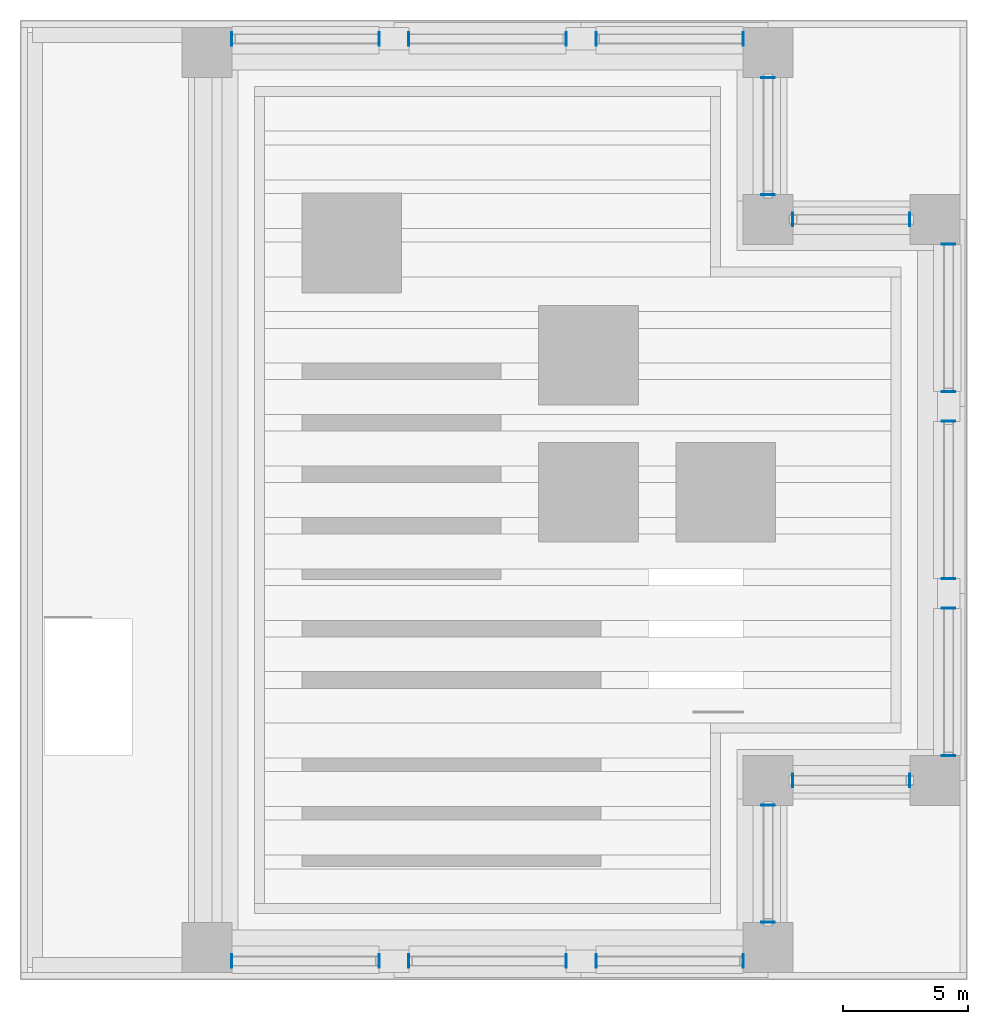
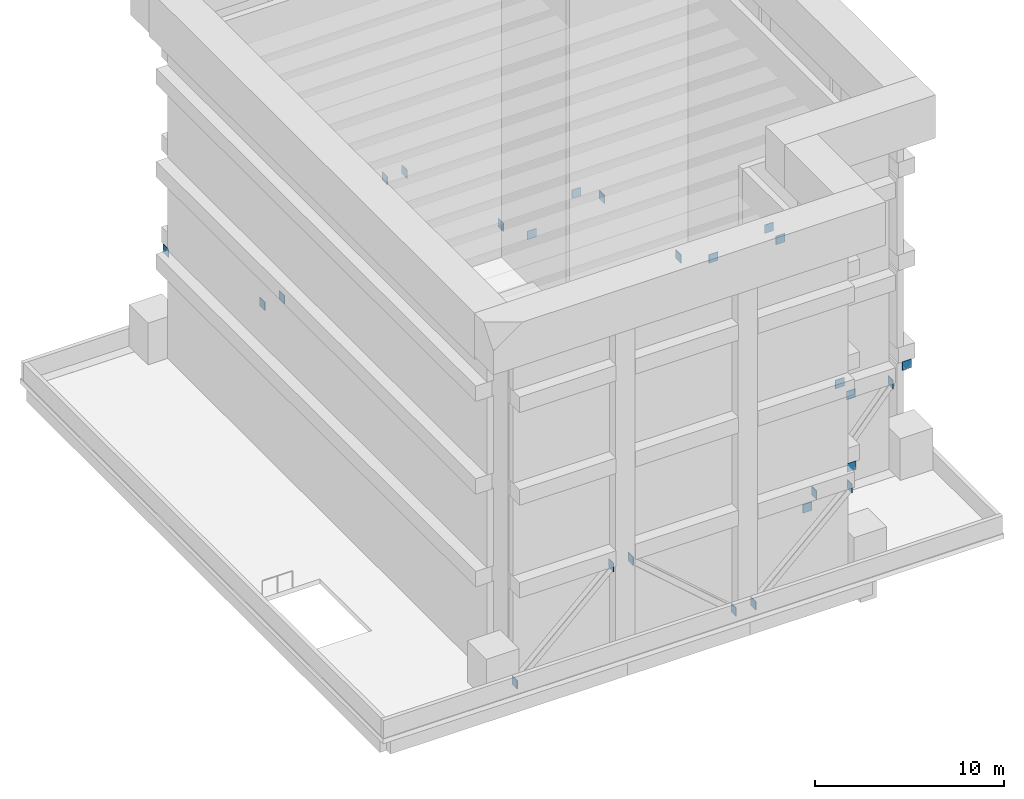
# One storey, part 3 of 4: 26 discrete accessories.
"""IFC4 building model written with IfcOpenShell, lengths in metres."""

from ifc_helpers import new_model, si_unit, direction, frame, origin, origin_2d, place, context, subcontext, project, spatial, rectangle, extrude, element, save


model = new_model("IFC4")

# Units and contexts
model_context = context("Model", 3, precision=1e-05, world=origin(), true_north=direction((0.0, 1.0)))
body_context = subcontext(model_context, "Body", "Model", "MODEL_VIEW")
ifc_project = project(units=[si_unit("LENGTHUNIT", "METRE"), si_unit("AREAUNIT", "SQUARE_METRE"), si_unit("VOLUMEUNIT", "CUBIC_METRE"), si_unit("PLANEANGLEUNIT", "RADIAN"), si_unit("MASSUNIT", "GRAM", prefix="KILO")], contexts=[model_context])

# Site, building, storey
site_placement = place(None, origin())
site = spatial("IfcSite", under=ifc_project, at=site_placement, CompositionType="ELEMENT")
building_placement = place(site_placement, origin())
building = spatial("IfcBuilding", under=site, at=building_placement, Name="Tamorin Gate", CompositionType="ELEMENT")
storey_placement = place(building_placement, frame((0.0, 0.0, 328.199951171875)))
storey = spatial("IfcBuildingStorey", under=building, at=storey_placement, Name="ROOF", CompositionType="ELEMENT", Elevation=328.199951171875)

# Discrete accessories
for number, where, z_axis, x_axis, name in (
    (1, (38.5, 52.760009765625, -0.02490234375), (0.0, 0.0, 1.0), (1.0, 0.0, 0.0), "Crown brace gusset plate"),
    (2, (44.39990234375, 52.760009765625, 5.47509765625), (0.0, 0.0, 1.0), (1.0, 0.0, 0.0), "Crown brace gusset plate"),
    (3, (51.89990234375, 52.760009765625, -0.02490234375), (0.0, 0.0, 1.0), (1.0, 0.0, 0.0), "Crown brace gusset plate"),
    (4, (45.60009765625, 52.760009765625, 5.47509765625), (0.0, 0.0, 1.0), (1.0, 0.0, 0.0), "Crown brace gusset plate"),
    (5, (53.10009765625, 52.760009765625, -0.02490234375), (0.0, 0.0, 1.0), (1.0, 0.0, 0.0), "Crown brace gusset plate"),
    (6, (59.0, 52.760009765625, 5.47509765625), (0.0, 0.0, 1.0), (1.0, 0.0, 0.0), "Crown brace gusset plate"),
    (7, (60.0, 59.0, -0.02490234375), (0.0, 0.0, 1.0), (0.0, 1.0, 0.0), "Crown brace gusset plate"),
    (8, (60.0, 54.31005859375, 5.47509765625), (0.0, 0.0, 1.0), (0.0, 1.0, 0.0), "Crown brace gusset plate"),
    (9, (61.0, 60.0, -0.02490234375), (0.0, 0.0, 1.0), (1.0, 0.0, 0.0), "Crown brace gusset plate"),
    (10, (65.68994140625, 60.0, 5.47509765625), (0.0, 0.0, 1.0), (1.0, 0.0, 0.0), "Crown brace gusset plate"),
    (11, (67.239990234375, 66.89990234375, -0.02490234375), (0.0, 0.0, 1.0), (0.0, 1.0, 0.0), "Crown brace gusset plate"),
    (12, (67.239990234375, 61.0, 5.47509765625), (0.0, 0.0, 1.0), (0.0, 1.0, 0.0), "Crown brace gusset plate"),
    (13, (67.239990234375, 68.10009765625, -0.02490234375), (0.0, 0.0, 1.0), (0.0, 1.0, 0.0), "Crown brace gusset plate"),
    (14, (67.239990234375, 74.39990234375, 5.47509765625), (0.0, 0.0, 1.0), (0.0, 1.0, 0.0), "Crown brace gusset plate"),
    (15, (67.239990234375, 81.5, -0.02490234375), (0.0, 0.0, 1.0), (0.0, 1.0, 0.0), "Crown brace gusset plate"),
    (16, (67.239990234375, 75.60009765625, 5.47509765625), (0.0, 0.0, 1.0), (0.0, 1.0, 0.0), "Crown brace gusset plate"),
    (17, (65.68994140625, 82.5, -0.02490234375), (0.0, 0.0, 1.0), (1.0, 0.0, 0.0), "Crown brace gusset plate"),
    (18, (61.0, 82.5, 5.47509765625), (0.0, 0.0, 1.0), (1.0, 0.0, 0.0), "Crown brace gusset plate"),
    (19, (60.0, 88.18994140625, -0.02490234375), (0.0, 0.0, 1.0), (0.0, 1.0, 0.0), "Crown brace gusset plate"),
    (20, (60.0, 83.5, 5.47509765625), (0.0, 0.0, 1.0), (0.0, 1.0, 0.0), "Crown brace gusset plate"),
    (21, (59.0, 89.739990234375, -0.02490234375), (0.0, 0.0, 1.0), (1.0, 0.0, 0.0), "Crown brace gusset plate"),
    (22, (53.10009765625, 89.739990234375, 5.47509765625), (0.0, 0.0, 1.0), (1.0, 0.0, 0.0), "Crown brace gusset plate"),
    (23, (45.60009765625, 89.739990234375, -0.02490234375), (0.0, 0.0, 1.0), (1.0, 0.0, 0.0), "Crown brace gusset plate"),
    (24, (51.89990234375, 89.739990234375, 5.47509765625), (0.0, 0.0, 1.0), (1.0, 0.0, 0.0), "Crown brace gusset plate"),
    (25, (44.39990234375, 89.739990234375, -0.02490234375), (0.0, 0.0, 1.0), (1.0, 0.0, 0.0), "Crown brace gusset plate"),
    (26, (38.5, 89.739990234375, 5.47509765625), (0.0, 0.0, 1.0), (1.0, 0.0, 0.0), "Crown brace gusset plate"),
):
    element("IfcDiscreteAccessory", number, at=place(storey_placement, frame(where, z_axis=z_axis, x_axis=x_axis)), inside=storey, Name=name, PredefinedType="BRACKET", context=body_context, shape_type="SweptSolid", body=[
        extrude(rectangle(XDim=0.0400390625, YDim=0.550048828125, at=origin_2d()), origin(), (0.0, 0.0, 1.0), 0.550048828125),
    ])

save(model, "model.ifc")
